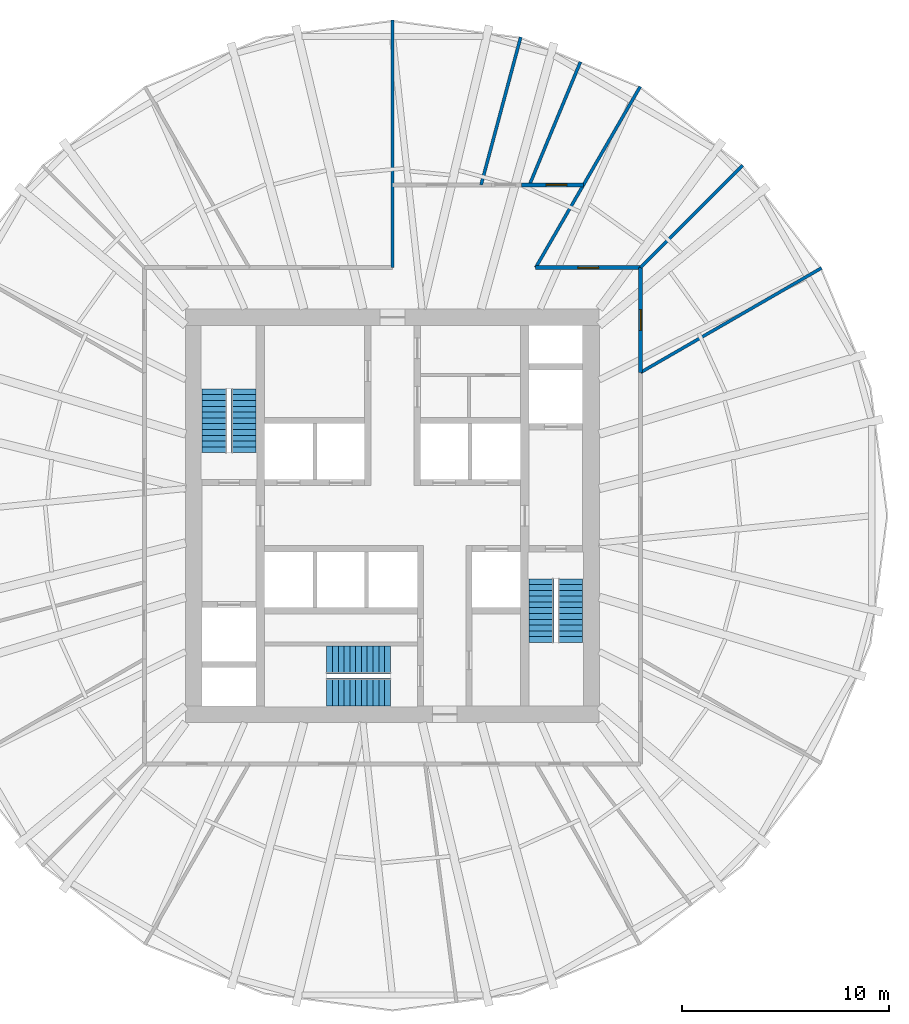
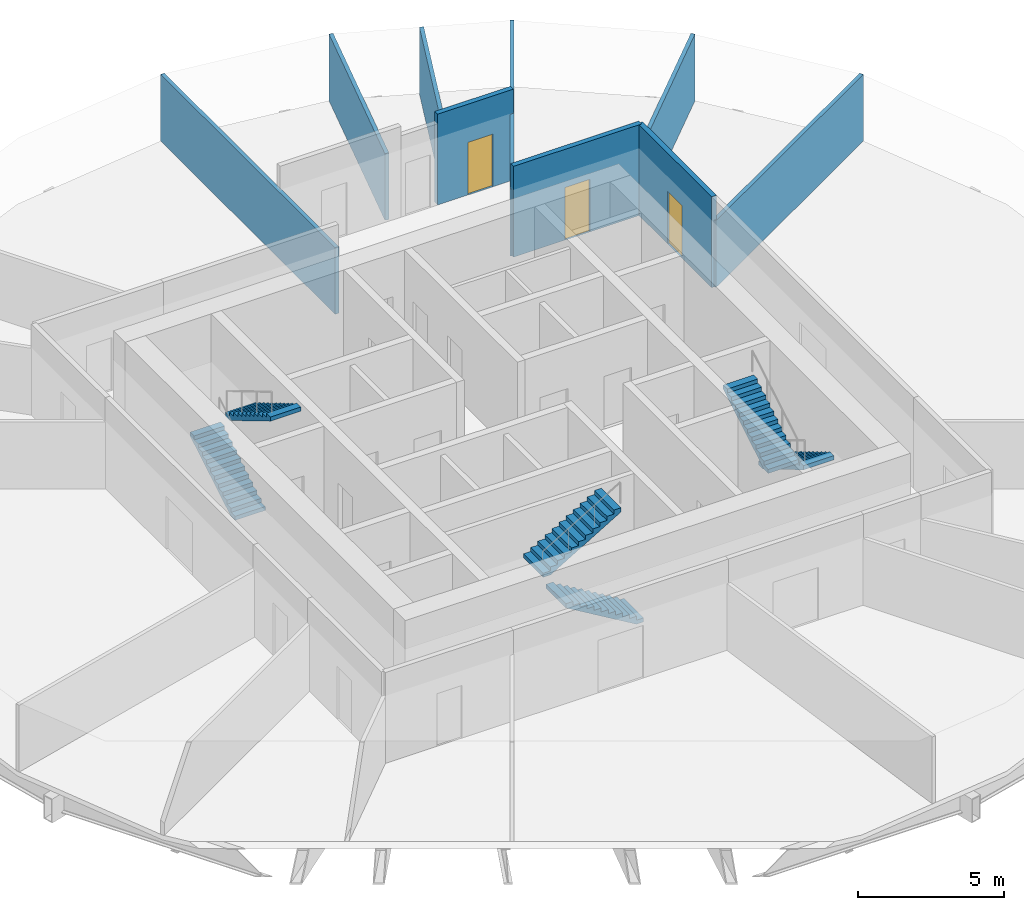
# One storey, part 5 of 6: 9 walls, 6 stair flights, 3 doors, 3 openings, 3 elements without a shape of their own.
"""IFC4 building model written with IfcOpenShell, lengths in metres."""

from ifc_helpers import new_model, si_unit, direction, frame, frame_2d, origin, place, context, subcontext, project, spatial, polyline, rectangle, outline, extrude, material, layer, layer_set, type_object, element, fill, aggregate, save


model = new_model("IFC4")

# Units and contexts
model_context = context("Model", 3, precision=1e-05, world=origin(), true_north=direction((0.0, 1.0)))
body_context = subcontext(model_context, "Body", "Model", "MODEL_VIEW")
ifc_project = project(units=[si_unit("LENGTHUNIT", "METRE"), si_unit("AREAUNIT", "SQUARE_METRE"), si_unit("VOLUMEUNIT", "CUBIC_METRE"), si_unit("PLANEANGLEUNIT", "RADIAN"), si_unit("MASSUNIT", "GRAM", prefix="KILO")], contexts=[model_context])

# Site, building, storey
site_placement = place(None, origin())
site = spatial("IfcSite", under=ifc_project, at=site_placement, CompositionType="ELEMENT")
building_placement = place(site_placement, origin())
building = spatial("IfcBuilding", under=site, at=building_placement, Name="Golbaran Civic Tower", CompositionType="ELEMENT")
storey_placement = place(building_placement, frame((0.0, 0.0, 73.0)))
storey = spatial("IfcBuildingStorey", under=building, at=storey_placement, Name="L17", CompositionType="ELEMENT", Elevation=73.0)

# Wall, opening, door
ifc_material_1 = material(Name="Gypsum board on steel studs, fire-rated", Category="steel")
ifc_layer_1 = layer(ifc_material_1, 0.199951171875, Name="Gypsum board on steel studs, fire-rated")
ifc_layer_set_1 = layer_set([ifc_layer_1], Name="Gypsum board on steel studs, fire-rated")
wall_type_1 = type_object("IfcWallType", Name="CORRIDOR WALL 200", PredefinedType="PARTITIONING", material=ifc_layer_set_1)
wall_1_placement = place(storey_placement, frame((12.0, 6.92822265625, 0.0), z_axis=(0.0, 0.0, 1.0), x_axis=(0.0, 1.0, 0.0)))
wall_1 = element("IfcWall", 1, at=wall_1_placement, inside=storey, type_object=wall_type_1, Name="Corridor wall L17", PredefinedType="PARTITIONING", context=body_context, shape_type="SweptSolid", body=[
    extrude(rectangle(XDim=5.07177734375, YDim=0.199951171875, at=frame_2d((2.535888671875, 0.0))), origin(), (0.0, 0.0, 1.0), 3.800048828125),
])
opening_1_placement = place(wall_1_placement, frame((2.035888671875, 0.0, 0.0)))
opening_1 = element("IfcOpeningElement", 2, at=opening_1_placement, cuts=wall_1, Name="Opening L17.05", PredefinedType="OPENING", context=body_context, shape_type="SweptSolid", body=[
    extrude(rectangle(XDim=1.0, YDim=2.199951171875, at=frame_2d((0.5, 1.10009765625))), frame((0.0, 0.10986328125, 0.0), z_axis=(0.0, -1.0, 0.0), x_axis=(1.0, 0.0, 0.0)), (0.0, 0.0, 1.0), 0.219970703125),
])
ifc_material_2 = material(Name="Timber door set in steel frame", Category="steel")
door_type = type_object("IfcDoorType", Name="OFFICE DOOR 1000x2200", OperationType="SINGLE_SWING_LEFT", PredefinedType="DOOR", material=ifc_material_2)
door_1_placement = place(opening_1_placement, origin())
door_1 = element("IfcDoor", 3, at=door_1_placement, inside=storey, type_object=door_type, Name="Prayer Room door L17", OperationType="SINGLE_SWING_LEFT", OverallHeight=2.199951171875, OverallWidth=1.0, PredefinedType="DOOR", context=body_context, shape_type="SweptSolid", body=[
    extrude(rectangle(XDim=1.0, YDim=2.199951171875, at=frame_2d((0.5, 1.10009765625))), frame((0.0, 0.02490234375, 0.0), z_axis=(0.0, -1.0, 0.0), x_axis=(1.0, 0.0, 0.0)), (0.0, 0.0, 1.0), 0.050048828125),
])
fill(opening_1, door_1)

wall_2_placement = place(storey_placement, frame((12.0, 12.0, 0.0), z_axis=(0.0, 0.0, 1.0), x_axis=(-1.0, 0.0, 0.0)))
wall_2 = element("IfcWall", 4, at=wall_2_placement, inside=storey, type_object=wall_type_1, Name="Corridor wall L17", PredefinedType="PARTITIONING", context=body_context, shape_type="SweptSolid", body=[
    extrude(rectangle(XDim=5.07177734375, YDim=0.199951171875, at=frame_2d((2.535888671875, 0.0))), origin(), (0.0, 0.0, 1.0), 3.800048828125),
])
opening_2_placement = place(wall_2_placement, frame((2.035888671875, 0.0, 0.0)))
opening_2 = element("IfcOpeningElement", 5, at=opening_2_placement, cuts=wall_2, Name="Opening L17.06", PredefinedType="OPENING", context=body_context, shape_type="SweptSolid", body=[
    extrude(rectangle(XDim=1.0, YDim=2.199951171875, at=frame_2d((0.5, 1.10009765625))), frame((0.0, 0.10986328125, 0.0), z_axis=(0.0, -1.0, 0.0), x_axis=(1.0, 0.0, 0.0)), (0.0, 0.0, 1.0), 0.219970703125),
])
door_2_placement = place(opening_2_placement, origin())
door_2 = element("IfcDoor", 6, at=door_2_placement, inside=storey, type_object=door_type, Name="Pantry door L17", OperationType="SINGLE_SWING_RIGHT", OverallHeight=2.199951171875, OverallWidth=1.0, PredefinedType="DOOR", context=body_context, shape_type="SweptSolid", body=[
    extrude(rectangle(XDim=1.0, YDim=2.199951171875, at=frame_2d((0.5, 1.10009765625))), frame((0.0, 0.02490234375, 0.0), z_axis=(0.0, -1.0, 0.0), x_axis=(1.0, 0.0, 0.0)), (0.0, 0.0, 1.0), 0.050048828125),
])
fill(opening_2, door_2)

ifc_material_3 = material(Name="Gypsum board on steel studs, fire-rated, glazed panels", Category="steel")
ifc_layer_2 = layer(ifc_material_3, 0.199951171875, Name="Gypsum board on steel studs, fire-rated, glazed panels")
ifc_layer_set_2 = layer_set([ifc_layer_2], Name="Gypsum board on steel studs, fire-rated, glazed panels")
wall_type_2 = type_object("IfcWallType", Name="GALLERY WALL 200", PredefinedType="PARTITIONING", material=ifc_layer_set_2)
wall_3_placement = place(storey_placement, frame((9.237548828125, 16.0, 0.0), z_axis=(0.0, 0.0, 1.0), x_axis=(-1.0, 0.0, 0.0)))
wall_3 = element("IfcWall", 7, at=wall_3_placement, inside=storey, type_object=wall_type_2, Name="Gallery wall L17", PredefinedType="PARTITIONING", context=body_context, shape_type="SweptSolid", body=[
    extrude(rectangle(XDim=3.0, YDim=0.199951171875, at=frame_2d((1.5, 0.0))), origin(), (0.0, 0.0, 1.0), 3.800048828125),
])
opening_3_placement = place(wall_3_placement, frame((0.80517578125, 0.0, 0.0)))
opening_3 = element("IfcOpeningElement", 8, at=opening_3_placement, cuts=wall_3, Name="Opening L17.01", PredefinedType="OPENING", context=body_context, shape_type="SweptSolid", body=[
    extrude(rectangle(XDim=1.0, YDim=2.199951171875, at=frame_2d((0.5, 1.10009765625))), frame((0.0, 0.10986328125, 0.0), z_axis=(0.0, -1.0, 0.0), x_axis=(1.0, 0.0, 0.0)), (0.0, 0.0, 1.0), 0.219970703125),
])
door_3_placement = place(opening_3_placement, origin())
door_3 = element("IfcDoor", 9, at=door_3_placement, inside=storey, type_object=door_type, Name="Director's Office door L17", OperationType="SINGLE_SWING_LEFT", OverallHeight=2.199951171875, OverallWidth=1.0, PredefinedType="DOOR", context=body_context, shape_type="SweptSolid", body=[
    extrude(rectangle(XDim=1.0, YDim=2.199951171875, at=frame_2d((0.5, 1.10009765625))), frame((0.0, 0.02490234375, 0.0), z_axis=(0.0, -1.0, 0.0), x_axis=(1.0, 0.0, 0.0)), (0.0, 0.0, 1.0), 0.050048828125),
])
fill(opening_3, door_3)

# Walls
ifc_material_4 = material(Name="Gypsum board on steel studs", Category="steel")
ifc_layer_3 = layer(ifc_material_4, 0.14990234375, Name="Gypsum board on steel studs")
ifc_layer_set_3 = layer_set([ifc_layer_3], Name="Gypsum board on steel studs")
wall_type_3 = type_object("IfcWallType", Name="OFFICE PARTITION 150", PredefinedType="PARTITIONING", material=ifc_layer_set_3)
wall_4_placement = place(storey_placement, frame((12.0, 6.92822265625, 0.0), z_axis=(0.0, 0.0, 1.0), x_axis=(0.866023860286, 0.500002673408, 0.0)))
element("IfcWall", 10, at=wall_4_placement, inside=storey, type_object=wall_type_3, Name="Partition 30 L17", PredefinedType="PARTITIONING", context=body_context, shape_type="SweptSolid", body=[
    extrude(rectangle(XDim=10.10595703125, YDim=0.14990234375, at=frame_2d((5.052978515625, 0.0))), origin(), (0.0, 0.0, 1.0), 2.7900390625),
])
wall_5_placement = place(storey_placement, frame((12.0, 12.0, 0.0), z_axis=(0.0, 0.0, 1.0), x_axis=(0.707106781187, 0.707106781187, 0.0)))
element("IfcWall", 11, at=wall_5_placement, inside=storey, type_object=wall_type_3, Name="Partition 45 L17", PredefinedType="PARTITIONING", context=body_context, shape_type="SweptSolid", body=[
    extrude(rectangle(XDim=6.99169921875, YDim=0.14990234375, at=frame_2d((3.495849609375, 0.0))), origin(), (0.0, 0.0, 1.0), 2.7900390625),
])
wall_6_placement = place(storey_placement, frame((6.92822265625, 12.0, 0.0), z_axis=(0.0, 0.0, 1.0), x_axis=(0.500002673408, 0.866023860286, 0.0)))
element("IfcWall", 12, at=wall_6_placement, inside=storey, type_object=wall_type_3, Name="Partition 60 L17", PredefinedType="PARTITIONING", context=body_context, shape_type="SweptSolid", body=[
    extrude(rectangle(XDim=10.10595703125, YDim=0.14990234375, at=frame_2d((5.052978515625, 0.0))), origin(), (0.0, 0.0, 1.0), 2.7900390625),
])
wall_7_placement = place(storey_placement, frame((0.0, 12.0, 0.0), z_axis=(0.0, 0.0, 1.0), x_axis=(0.0, 1.0, 0.0)))
element("IfcWall", 13, at=wall_7_placement, inside=storey, type_object=wall_type_3, Name="Partition 90 L17", PredefinedType="PARTITIONING", context=body_context, shape_type="SweptSolid", body=[
    extrude(rectangle(XDim=11.962158203125, YDim=0.14990234375, at=frame_2d((5.98095703125, 0.0))), origin(), (0.0, 0.0, 1.0), 2.7900390625),
])
wall_8_placement = place(storey_placement, frame((6.62744140625, 16.0, 0.0), z_axis=(0.0, 0.0, 1.0), x_axis=(0.382692246291, 0.923875881614, 0.0)))
element("IfcWall", 14, at=wall_8_placement, inside=storey, type_object=wall_type_3, Name="Partition 67.5 L17", PredefinedType="PARTITIONING", context=body_context, shape_type="SweptSolid", body=[
    extrude(rectangle(XDim=6.43896484375, YDim=0.14990234375, at=frame_2d((3.219482421875, 0.0))), origin(), (0.0, 0.0, 1.0), 2.7900390625),
])
wall_9_placement = place(storey_placement, frame((4.287109375, 16.0, 0.0), z_axis=(0.0, 0.0, 1.0), x_axis=(0.258831210147, 0.965922566593, 0.0)))
element("IfcWall", 15, at=wall_9_placement, inside=storey, type_object=wall_type_3, Name="Partition 75 L17", PredefinedType="PARTITIONING", context=body_context, shape_type="SweptSolid", body=[
    extrude(rectangle(XDim=7.39794921875, YDim=0.14990234375, at=frame_2d((3.698974609375, 0.0))), origin(), (0.0, 0.0, 1.0), 2.7900390625),
])

# Stair, stair flights
ifc_material_5 = material(Name="Concrete C35/45", Category="concrete")
stair_type_1 = type_object("IfcStairType", Name="EXIT STAIR 2600 x 7450, 4000 RISE", PredefinedType="HALF_TURN_STAIR", material=ifc_material_5)
stair_1_placement = place(storey_placement, origin())
stair_1 = element("IfcStair", 16, at=stair_1_placement, inside=storey, type_object=stair_type_1, Name="Stair S1 L17", PredefinedType="HALF_TURN_STAIR")
stair_flight_type_1 = type_object("IfcStairFlightType", Name="STAIR FLIGHT 1200 WIDE", PredefinedType="STRAIGHT", material=ifc_material_5)
stair_flight_1_placement = place(storey_placement, frame((-8.60009765625, 3.050048828125, 0.0), z_axis=(0.0, 0.0, 1.0), x_axis=(0.0, 1.0, 0.0)))
stair_flight_1 = element("IfcStairFlight", 17, at=stair_flight_1_placement, type_object=stair_flight_type_1, Name="ST26074-40 flight 1", NumberOfRisers=12, NumberOfTreads=11, PredefinedType="STRAIGHT", RiserHeight=0.166666667, TreadLength=0.28, context=body_context, shape_type="SweptSolid", body=[
    extrude(outline(polyline([(0.0, 0.0), (0.0, 0.166748046875), (0.280029296875, 0.166748046875), (0.280029296875, 0.333251953125), (0.56005859375, 0.333251953125), (0.56005859375, 0.5), (0.840087890625, 0.5), (0.840087890625, 0.666748046875), (1.1201171875, 0.666748046875), (1.1201171875, 0.833251953125), (1.39990234375, 0.833251953125), (1.39990234375, 1.0), (1.679931640625, 1.0), (1.679931640625, 1.166748046875), (1.9599609375, 1.166748046875), (1.9599609375, 1.333251953125), (2.239990234375, 1.333251953125), (2.239990234375, 1.5), (2.52001953125, 1.5), (2.52001953125, 1.666748046875), (2.800048828125, 1.666748046875), (2.800048828125, 1.833251953125), (3.080078125, 1.833251953125), (3.080078125, 2.0), (3.080078125, 1.658935546875), (0.29296875, 0.0), (0.0, 0.0)])), frame((0.0, 0.60009765625, 0.0), z_axis=(0.0, -1.0, 0.0), x_axis=(1.0, 0.0, 0.0)), (0.0, 0.0, 1.0), 1.199951171875),
])
stair_flight_2_placement = place(storey_placement, frame((-7.199951171875, 6.1298828125, 2.0), z_axis=(0.0, 0.0, 1.0), x_axis=(0.0, -1.0, 0.0)))
stair_flight_2 = element("IfcStairFlight", 18, at=stair_flight_2_placement, type_object=stair_flight_type_1, Name="ST26074-40 flight 2", NumberOfRisers=12, NumberOfTreads=11, PredefinedType="STRAIGHT", RiserHeight=0.166666667, TreadLength=0.28, context=body_context, shape_type="SweptSolid", body=[
    extrude(outline(polyline([(0.0, 0.0), (0.0, 0.166748046875), (0.280029296875, 0.166748046875), (0.280029296875, 0.333251953125), (0.56005859375, 0.333251953125), (0.56005859375, 0.5), (0.840087890625, 0.5), (0.840087890625, 0.666748046875), (1.1201171875, 0.666748046875), (1.1201171875, 0.833251953125), (1.39990234375, 0.833251953125), (1.39990234375, 1.0), (1.679931640625, 1.0), (1.679931640625, 1.166748046875), (1.9599609375, 1.166748046875), (1.9599609375, 1.333251953125), (2.239990234375, 1.333251953125), (2.239990234375, 1.5), (2.52001953125, 1.5), (2.52001953125, 1.666748046875), (2.800048828125, 1.666748046875), (2.800048828125, 1.833251953125), (3.080078125, 1.833251953125), (3.080078125, 2.0), (3.080078125, 1.658935546875), (0.29296875, 0.0), (0.0, 0.0)])), frame((0.0, 0.60009765625, 0.0), z_axis=(0.0, -1.0, 0.0), x_axis=(1.0, 0.0, 0.0)), (0.0, 0.0, 1.0), 1.199951171875),
])
aggregate(stair_1, [stair_flight_1, stair_flight_2])

stair_2_placement = place(storey_placement, origin())
stair_2 = element("IfcStair", 19, at=stair_2_placement, inside=storey, type_object=stair_type_1, Name="Stair S2 L17", PredefinedType="HALF_TURN_STAIR")
stair_flight_3_placement = place(storey_placement, frame((8.60009765625, -3.050048828125, 0.0), z_axis=(0.0, 0.0, 1.0), x_axis=(0.0, -1.0, 0.0)))
stair_flight_3 = element("IfcStairFlight", 20, at=stair_flight_3_placement, type_object=stair_flight_type_1, Name="ST26074-40 flight 1", NumberOfRisers=12, NumberOfTreads=11, PredefinedType="STRAIGHT", RiserHeight=0.166666667, TreadLength=0.28, context=body_context, shape_type="SweptSolid", body=[
    extrude(outline(polyline([(0.0, 0.0), (0.0, 0.166748046875), (0.280029296875, 0.166748046875), (0.280029296875, 0.333251953125), (0.56005859375, 0.333251953125), (0.56005859375, 0.5), (0.840087890625, 0.5), (0.840087890625, 0.666748046875), (1.1201171875, 0.666748046875), (1.1201171875, 0.833251953125), (1.39990234375, 0.833251953125), (1.39990234375, 1.0), (1.679931640625, 1.0), (1.679931640625, 1.166748046875), (1.9599609375, 1.166748046875), (1.9599609375, 1.333251953125), (2.239990234375, 1.333251953125), (2.239990234375, 1.5), (2.52001953125, 1.5), (2.52001953125, 1.666748046875), (2.800048828125, 1.666748046875), (2.800048828125, 1.833251953125), (3.080078125, 1.833251953125), (3.080078125, 2.0), (3.080078125, 1.658935546875), (0.29296875, 0.0), (0.0, 0.0)])), frame((0.0, 0.60009765625, 0.0), z_axis=(0.0, -1.0, 0.0), x_axis=(1.0, 0.0, 0.0)), (0.0, 0.0, 1.0), 1.199951171875),
])
stair_flight_4_placement = place(storey_placement, frame((7.199951171875, -6.1298828125, 2.0), z_axis=(0.0, 0.0, 1.0), x_axis=(0.0, 1.0, 0.0)))
stair_flight_4 = element("IfcStairFlight", 21, at=stair_flight_4_placement, type_object=stair_flight_type_1, Name="ST26074-40 flight 2", NumberOfRisers=12, NumberOfTreads=11, PredefinedType="STRAIGHT", RiserHeight=0.166666667, TreadLength=0.28, context=body_context, shape_type="SweptSolid", body=[
    extrude(outline(polyline([(0.0, 0.0), (0.0, 0.166748046875), (0.280029296875, 0.166748046875), (0.280029296875, 0.333251953125), (0.56005859375, 0.333251953125), (0.56005859375, 0.5), (0.840087890625, 0.5), (0.840087890625, 0.666748046875), (1.1201171875, 0.666748046875), (1.1201171875, 0.833251953125), (1.39990234375, 0.833251953125), (1.39990234375, 1.0), (1.679931640625, 1.0), (1.679931640625, 1.166748046875), (1.9599609375, 1.166748046875), (1.9599609375, 1.333251953125), (2.239990234375, 1.333251953125), (2.239990234375, 1.5), (2.52001953125, 1.5), (2.52001953125, 1.666748046875), (2.800048828125, 1.666748046875), (2.800048828125, 1.833251953125), (3.080078125, 1.833251953125), (3.080078125, 2.0), (3.080078125, 1.658935546875), (0.29296875, 0.0), (0.0, 0.0)])), frame((0.0, 0.60009765625, 0.0), z_axis=(0.0, -1.0, 0.0), x_axis=(1.0, 0.0, 0.0)), (0.0, 0.0, 1.0), 1.199951171875),
])
aggregate(stair_2, [stair_flight_3, stair_flight_4])

stair_type_2 = type_object("IfcStairType", Name="EXIT STAIR 2900 x 7400, 4000 RISE", PredefinedType="HALF_TURN_STAIR", material=ifc_material_5)
stair_3_placement = place(storey_placement, origin())
stair_3 = element("IfcStair", 22, at=stair_3_placement, inside=storey, type_object=stair_type_2, Name="Stair S3 L17", PredefinedType="HALF_TURN_STAIR")
stair_flight_type_2 = type_object("IfcStairFlightType", Name="STAIR FLIGHT 1350 WIDE", PredefinedType="STRAIGHT", material=ifc_material_5)
stair_flight_5_placement = place(storey_placement, frame((-0.10009765625, -8.52490234375, 0.0), z_axis=(0.0, 0.0, 1.0), x_axis=(-1.0, 0.0, 0.0)))
stair_flight_5 = element("IfcStairFlight", 23, at=stair_flight_5_placement, type_object=stair_flight_type_2, Name="ST29074-40 flight 1", NumberOfRisers=12, NumberOfTreads=11, PredefinedType="STRAIGHT", RiserHeight=0.166666667, TreadLength=0.28, context=body_context, shape_type="SweptSolid", body=[
    extrude(outline(polyline([(0.0, 0.0), (0.0, 0.166748046875), (0.280029296875, 0.166748046875), (0.280029296875, 0.333251953125), (0.56005859375, 0.333251953125), (0.56005859375, 0.5), (0.840087890625, 0.5), (0.840087890625, 0.666748046875), (1.1201171875, 0.666748046875), (1.1201171875, 0.833251953125), (1.39990234375, 0.833251953125), (1.39990234375, 1.0), (1.679931640625, 1.0), (1.679931640625, 1.166748046875), (1.9599609375, 1.166748046875), (1.9599609375, 1.333251953125), (2.239990234375, 1.333251953125), (2.239990234375, 1.5), (2.52001953125, 1.5), (2.52001953125, 1.666748046875), (2.800048828125, 1.666748046875), (2.800048828125, 1.833251953125), (3.080078125, 1.833251953125), (3.080078125, 2.0), (3.080078125, 1.658935546875), (0.29296875, 0.0), (0.0, 0.0)])), frame((0.0, 0.675048828125, 0.0), z_axis=(0.0, -1.0, 0.0), x_axis=(1.0, 0.0, 0.0)), (0.0, 0.0, 1.0), 1.35009765625),
])
stair_flight_6_placement = place(storey_placement, frame((-3.179931640625, -6.97509765625, 2.0), z_axis=(0.0, 0.0, 1.0), x_axis=(1.0, 0.0, 0.0)))
stair_flight_6 = element("IfcStairFlight", 24, at=stair_flight_6_placement, type_object=stair_flight_type_2, Name="ST29074-40 flight 2", NumberOfRisers=12, NumberOfTreads=11, PredefinedType="STRAIGHT", RiserHeight=0.166666667, TreadLength=0.28, context=body_context, shape_type="SweptSolid", body=[
    extrude(outline(polyline([(0.0, 0.0), (0.0, 0.166748046875), (0.280029296875, 0.166748046875), (0.280029296875, 0.333251953125), (0.56005859375, 0.333251953125), (0.56005859375, 0.5), (0.840087890625, 0.5), (0.840087890625, 0.666748046875), (1.1201171875, 0.666748046875), (1.1201171875, 0.833251953125), (1.39990234375, 0.833251953125), (1.39990234375, 1.0), (1.679931640625, 1.0), (1.679931640625, 1.166748046875), (1.9599609375, 1.166748046875), (1.9599609375, 1.333251953125), (2.239990234375, 1.333251953125), (2.239990234375, 1.5), (2.52001953125, 1.5), (2.52001953125, 1.666748046875), (2.800048828125, 1.666748046875), (2.800048828125, 1.833251953125), (3.080078125, 1.833251953125), (3.080078125, 2.0), (3.080078125, 1.658935546875), (0.29296875, 0.0), (0.0, 0.0)])), frame((0.0, 0.675048828125, 0.0), z_axis=(0.0, -1.0, 0.0), x_axis=(1.0, 0.0, 0.0)), (0.0, 0.0, 1.0), 1.35009765625),
])
aggregate(stair_3, [stair_flight_5, stair_flight_6])

save(model, "model.ifc")
